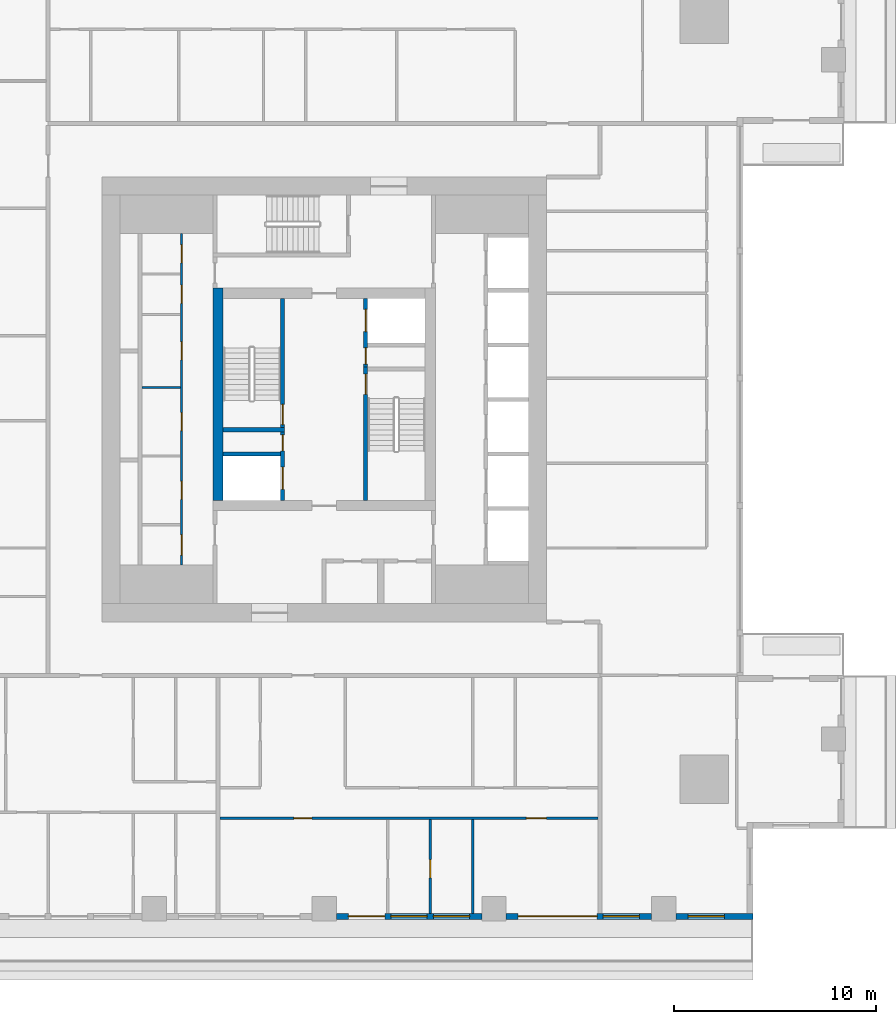
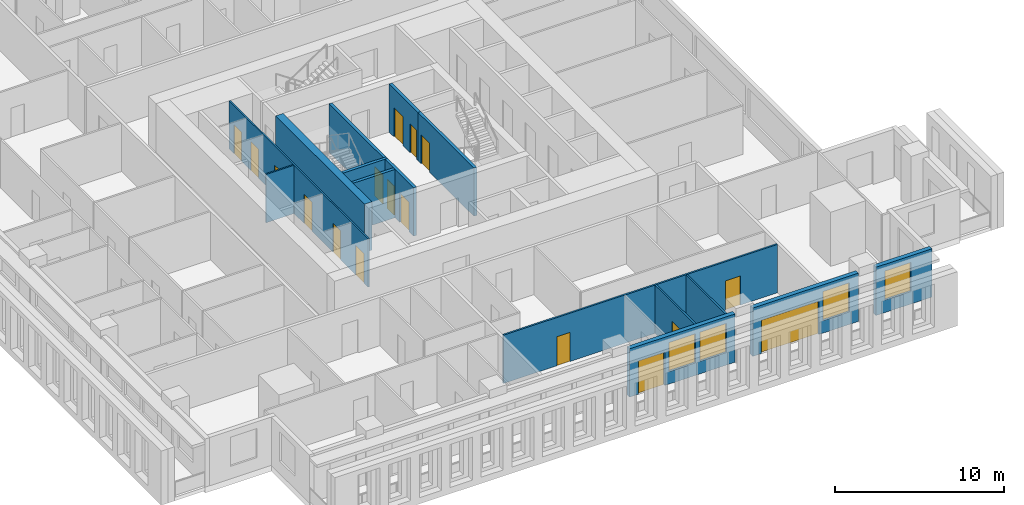
# One storey, part 4 of 15: 17 doors, 15 walls, 4 windows, 21 openings.
"""IFC4 building model written with IfcOpenShell, lengths in metres."""

import ifcopenshell
import ifcopenshell.guid

model = None  # the IFC model being written
_history = None  # IfcOwnerHistory: only IFC2X3 demands one
_inside = {}  # id of a spatial element -> (the spatial element, [elements in it])
_under = {}  # id of a project, library or spatial element -> (it, [spatial elements below it])
_declared = {}  # id of a project -> (the project, [libraries it declares])
_typed = {}  # id of a type object -> (the type object, [elements of that type])
_made_of = {}  # id of a material, layer set ... -> (it, [elements and type objects made of it])


def new_model(schema):
    """Start an empty IFC model of exactly this schema.

    Asked for "IFC4X3", IfcOpenShell would pick the latest addendum, in which some entities
    have other attributes; the version numbers below select the first issue.
    IFC2X3 requires an IfcOwnerHistory on every rooted entity: one is made here for all.
    """
    global model, _history
    if schema == "IFC4X3":
        model = ifcopenshell.file(schema_version=(4, 3, 0, 0))
    else:
        model = ifcopenshell.file(schema=schema)
    _inside.clear()
    _under.clear()
    _declared.clear()
    _typed.clear()
    _made_of.clear()
    _history = None
    if model.schema == "IFC2X3":
        org = make("IfcOrganization", Name="unknown")
        user = make(
            "IfcPersonAndOrganization",
            ThePerson=make("IfcPerson", FamilyName="unknown"),
            TheOrganization=org,
        )
        app = make(
            "IfcApplication",
            ApplicationDeveloper=org,
            Version="unknown",
            ApplicationFullName="unknown",
            ApplicationIdentifier="unknown",
        )
        _history = make(
            "IfcOwnerHistory",
            OwningUser=user,
            OwningApplication=app,
            ChangeAction="ADDED",
            CreationDate=0,
        )
    return model


def make(cls, **values):
    """One entity of the class cls with the attributes given. An attribute that is None is left unset."""
    return model.create_entity(
        cls, **{name: value for name, value in values.items() if value is not None}
    )


def rooted(cls, **values):
    """An entity with a GlobalId (a new one), such as an element, a storey or a relation."""
    return make(cls, GlobalId=ifcopenshell.guid.new(), OwnerHistory=_history, **values)


def si_unit(unit_type, name, prefix=None):
    """IfcSIUnit, for example si_unit("LENGTHUNIT", "METRE", prefix="MILLI")."""
    return make("IfcSIUnit", UnitType=unit_type, Prefix=prefix, Name=name)


def assignment(units):
    """IfcUnitAssignment: the units of a project."""
    return None if units is None else make("IfcUnitAssignment", Units=units)


def point(xyz):
    """IfcCartesianPoint."""
    return None if xyz is None else make("IfcCartesianPoint", Coordinates=xyz)


def direction(xyz):
    """IfcDirection."""
    return None if xyz is None else make("IfcDirection", DirectionRatios=xyz)


def frame(location, z_axis=None, x_axis=None):
    """IfcAxis2Placement3D, a coordinate frame: its origin and axes. An axis left out is left unset."""
    return make(
        "IfcAxis2Placement3D",
        Location=point(location),
        Axis=direction(z_axis),
        RefDirection=direction(x_axis),
    )


def frame_2d(location, x_axis=None):
    """IfcAxis2Placement2D, a coordinate frame in the plane: its origin and x axis."""
    return make(
        "IfcAxis2Placement2D", Location=point(location), RefDirection=direction(x_axis)
    )


def origin():
    """The frame at (0, 0, 0) with its axes left unset."""
    return frame((0.0, 0.0, 0.0))


def place(relative_to, where):
    """IfcLocalPlacement: puts the frame where relative to a parent placement (None: the world)."""
    return make(
        "IfcLocalPlacement", PlacementRelTo=relative_to, RelativePlacement=where
    )


def context(
    kind, dimensions, precision=None, world=None, true_north=None, identifier=None
):
    """IfcGeometricRepresentationContext, for example the 3D "Model" context."""
    return make(
        "IfcGeometricRepresentationContext",
        ContextIdentifier=identifier,
        ContextType=kind,
        CoordinateSpaceDimension=dimensions,
        Precision=precision,
        WorldCoordinateSystem=world,
        TrueNorth=true_north,
    )


def subcontext(parent, identifier, kind, view, scale=None):
    """IfcGeometricRepresentationSubContext, for example "Body" below "Model"."""
    return make(
        "IfcGeometricRepresentationSubContext",
        ContextIdentifier=identifier,
        ContextType=kind,
        ParentContext=parent,
        TargetScale=scale,
        TargetView=view,
    )


def project(units=None, contexts=None):
    """IfcProject with its units and contexts."""
    return rooted(
        "IfcProject",
        Name="project",
        RepresentationContexts=contexts,
        UnitsInContext=assignment(units),
    )


def spatial(cls, under=None, at=None, **own):
    """A site, building, storey or space (cls), placed at a placement, below another one or the project."""
    s = rooted(cls, ObjectPlacement=at, **own)
    if under is not None:
        _under.setdefault(under.id(), (under, []))[1].append(s)
    return s


def profile(cls, at=None, kind="AREA", **sizes):
    """A parametric profile (cls). Its sizes go by their IFC names, for example OverallWidth=200.0."""
    return make(cls, ProfileType=kind, Position=at, **sizes)


def rectangle(**sizes):
    """IfcRectangleProfileDef."""
    return profile("IfcRectangleProfileDef", **sizes)


def extrude(swept, where, along, depth):
    """IfcExtrudedAreaSolid: the profile swept, set in the frame where, extruded along a direction by depth."""
    return make(
        "IfcExtrudedAreaSolid",
        SweptArea=swept,
        Position=where,
        ExtrudedDirection=direction(along),
        Depth=depth,
    )


def shape(context_of_items, identifier, shape_type, items):
    """IfcShapeRepresentation: the items that make up one representation, for example the "Body"."""
    return make(
        "IfcShapeRepresentation",
        ContextOfItems=context_of_items,
        RepresentationIdentifier=identifier,
        RepresentationType=shape_type,
        Items=items,
    )


def material(Name=None, Category=None):
    """IfcMaterial."""
    return make("IfcMaterial", Name=Name, Category=Category)


def layer(
    of_material, thickness, ventilated=None, Name=None, Category=None, Priority=None
):
    """IfcMaterialLayer: one layer of a wall or slab, of a material (None: an air gap)."""
    return make(
        "IfcMaterialLayer",
        Material=of_material,
        LayerThickness=thickness,
        IsVentilated=ventilated,
        Name=Name,
        Category=Category,
        Priority=Priority,
    )


def layer_set(layers, Name=None):
    """IfcMaterialLayerSet."""
    return make("IfcMaterialLayerSet", MaterialLayers=layers, LayerSetName=Name)


def made_of(thing, what):
    """Note that an element or type object is made of a material, layer set ...; save() writes the relation."""
    if what is not None:
        _made_of.setdefault(what.id(), (what, []))[1].append(thing)
    return thing


def type_object(cls, material=None, **own):
    """A type object (cls), such as IfcWallType, which elements share."""
    return made_of(rooted(cls, **own), material)


def element(
    cls,
    number,
    at=None,
    inside=None,
    cuts=None,
    type_object=None,
    material=None,
    context=None,
    identifier="Body",
    shape_type=None,
    held_by="IfcProductDefinitionShape",
    body=None,
    shapes=None,
    **own,
):
    """One element of the class cls, such as IfcWall. Its Tag is "e" and its number.

    at: its placement. inside: the storey or other place that contains it. cuts: it is an
    opening in that element (IfcRelVoidsElement). A single representation is given by context,
    identifier, shape_type and body (its items); several are given by shapes. held_by: the class
    of the entity that holds the representations. save() writes the other relations.
    """
    e = rooted(cls, Tag="e%d" % number, ObjectPlacement=at, **own)
    if body is not None:
        shapes = [shape(context, identifier, shape_type, body)]
    if shapes is not None:
        e.Representation = make(held_by, Representations=shapes)
    if inside is not None:
        _inside.setdefault(inside.id(), (inside, []))[1].append(e)
    if cuts is not None:
        rooted(
            "IfcRelVoidsElement", RelatingBuildingElement=cuts, RelatedOpeningElement=e
        )
    if type_object is not None:
        _typed.setdefault(type_object.id(), (type_object, []))[1].append(e)
    return made_of(e, material)


def fill(opening, filler):
    """IfcRelFillsElement: the door or window that sits in an opening."""
    return rooted(
        "IfcRelFillsElement",
        RelatingOpeningElement=opening,
        RelatedBuildingElement=filler,
    )


def aggregate(whole, parts):
    """IfcRelAggregates: a whole, such as a stair, and the parts it consists of."""
    return rooted("IfcRelAggregates", RelatingObject=whole, RelatedObjects=parts)


def save(model, path):
    """Write the relations noted so far, then the file.

    IfcRelAggregates (storeys below a building ...), IfcRelContainedInSpatialStructure (elements
    in a storey), IfcRelDefinesByType, IfcRelAssociatesMaterial and IfcRelDeclares: one each for
    every whole, place, type object, material and project.
    """
    for whole, parts in _under.values():
        aggregate(whole, parts)
    for where, things in _inside.values():
        rooted(
            "IfcRelContainedInSpatialStructure",
            RelatedElements=things,
            RelatingStructure=where,
        )
    for kind, things in _typed.values():
        rooted("IfcRelDefinesByType", RelatedObjects=things, RelatingType=kind)
    for what, things in _made_of.values():
        rooted("IfcRelAssociatesMaterial", RelatedObjects=things, RelatingMaterial=what)
    for by, libraries in _declared.values():
        rooted("IfcRelDeclares", RelatingContext=by, RelatedDefinitions=libraries)
    model.write(path)


model = new_model("IFC4")

# Units and contexts
model_context = context("Model", 3, precision=1e-05, world=origin(), true_north=direction((0.0, 1.0)))
body_context = subcontext(model_context, "Body", "Model", "MODEL_VIEW")
ifc_project = project(units=[si_unit("LENGTHUNIT", "METRE"), si_unit("AREAUNIT", "SQUARE_METRE"), si_unit("VOLUMEUNIT", "CUBIC_METRE"), si_unit("PLANEANGLEUNIT", "RADIAN"), si_unit("MASSUNIT", "GRAM", prefix="KILO")], contexts=[model_context])

# Site, building, storey
site_placement = place(None, origin())
site = spatial("IfcSite", under=ifc_project, at=site_placement, CompositionType="ELEMENT")
building_placement = place(site_placement, origin())
building = spatial("IfcBuilding", under=site, at=building_placement, Name="Khepri Terraces", CompositionType="ELEMENT")
storey_placement = place(building_placement, frame((0.0, 0.0, 227.39990234375)))
storey = spatial("IfcBuildingStorey", under=building, at=storey_placement, Name="L54", CompositionType="ELEMENT", Elevation=227.39990234375)

# Wall, opening, door
ifc_material_1 = material(Name="Concrete C50/60", Category="concrete")
ifc_layer_1 = layer(ifc_material_1, 0.199951171875, Name="Concrete C50/60", Category="concrete")
ifc_layer_set_1 = layer_set([ifc_layer_1], Name="Concrete C50/60")
wall_type_1 = type_object("IfcWallType", Name="Core wall 200 C50/60", PredefinedType="SHEAR", material=ifc_layer_set_1)
wall_1_placement = place(storey_placement, frame((2.050048828125, -5.0, 0.0), z_axis=(0.0, 0.0, 1.0), x_axis=(0.0, 1.0, 0.0)))
wall_1 = element("IfcWall", 1, at=wall_1_placement, inside=storey, type_object=wall_type_1, Name="Core wall ST01 L54", PredefinedType="SHEAR", context=body_context, shape_type="SweptSolid", body=[
    extrude(rectangle(XDim=6.60009765625, YDim=0.199951171875, at=frame_2d((3.300048828125, 0.0))), origin(), (0.0, 0.0, 1.0), 3.47998046875),
])
opening_1_placement = place(wall_1_placement, frame((5.25, 0.0, 0.0)))
opening_1 = element("IfcOpeningElement", 2, at=opening_1_placement, cuts=wall_1, Name="Opening L54-C10", PredefinedType="OPENING", context=body_context, shape_type="SweptSolid", body=[
    extrude(rectangle(XDim=1.0, YDim=2.10009765625, at=frame_2d((0.5, 1.050048828125))), frame((0.0, 0.10986328125, 0.0), z_axis=(0.0, -1.0, 0.0), x_axis=(1.0, 0.0, 0.0)), (0.0, 0.0, 1.0), 0.219970703125),
])
ifc_material_2 = material(Name="Painted steel", Category="steel")
door_type_1 = type_object("IfcDoorType", Name="DR-CORE-STAIR-1000", OperationType="NOTDEFINED", PredefinedType="DOOR", material=ifc_material_2)
door_1_placement = place(opening_1_placement, frame((1.0, 0.0, 0.0), z_axis=(0.0, 0.0, 1.0), x_axis=(-1.0, 0.0, 0.0)))
door_1 = element("IfcDoor", 3, at=door_1_placement, inside=storey, type_object=door_type_1, Name="Stair door L54-C10", OperationType="SINGLE_SWING_LEFT", OverallHeight=2.10009765625, OverallWidth=1.0, PredefinedType="DOOR", context=body_context, shape_type="SweptSolid", body=[
    extrude(rectangle(XDim=1.0, YDim=2.10009765625, at=frame_2d((0.5, 1.050048828125))), frame((0.0, 0.02490234375, 0.0), z_axis=(0.0, -1.0, 0.0), x_axis=(1.0, 0.0, 0.0)), (0.0, 0.0, 1.0), 0.050048828125),
])
fill(opening_1, door_1)

# Wall
wall_2_placement = place(storey_placement, frame((-5.0, -1.5, 0.0), z_axis=(0.0, 0.0, 1.0), x_axis=(1.0, 0.0, 0.0)))
element("IfcWall", 4, at=wall_2_placement, inside=storey, type_object=wall_type_1, Name="Core wall ST02 L54", PredefinedType="SHEAR", context=body_context, shape_type="SweptSolid", body=[
    extrude(rectangle(XDim=3.050048828125, YDim=0.199951171875, at=frame_2d((1.52490234375, 0.0))), origin(), (0.0, 0.0, 1.0), 3.47998046875),
])

# Wall, opening, door
wall_3_placement = place(storey_placement, frame((-2.050048828125, -1.39990234375, 0.0), z_axis=(0.0, 0.0, 1.0), x_axis=(0.0, 1.0, 0.0)))
wall_3 = element("IfcWall", 5, at=wall_3_placement, inside=storey, type_object=wall_type_1, Name="Core wall ST03 L54", PredefinedType="SHEAR", context=body_context, shape_type="SweptSolid", body=[
    extrude(rectangle(XDim=6.39990234375, YDim=0.199951171875, at=frame_2d((3.199951171875, 0.0))), origin(), (0.0, 0.0, 1.0), 3.47998046875),
])
opening_2_placement = place(wall_3_placement, frame((0.14990234375, 0.0, 0.0)))
opening_2 = element("IfcOpeningElement", 6, at=opening_2_placement, cuts=wall_3, Name="Opening L54-C09", PredefinedType="OPENING", context=body_context, shape_type="SweptSolid", body=[
    extrude(rectangle(XDim=1.0, YDim=2.10009765625, at=frame_2d((0.5, 1.050048828125))), frame((0.0, 0.10986328125, 0.0), z_axis=(0.0, -1.0, 0.0), x_axis=(1.0, 0.0, 0.0)), (0.0, 0.0, 1.0), 0.219970703125),
])
door_2_placement = place(opening_2_placement, origin())
door_2 = element("IfcDoor", 7, at=door_2_placement, inside=storey, type_object=door_type_1, Name="Stair door L54-C09", OperationType="SINGLE_SWING_LEFT", OverallHeight=2.10009765625, OverallWidth=1.0, PredefinedType="DOOR", context=body_context, shape_type="SweptSolid", body=[
    extrude(rectangle(XDim=1.0, YDim=2.10009765625, at=frame_2d((0.5, 1.050048828125))), frame((0.0, 0.02490234375, 0.0), z_axis=(0.0, -1.0, 0.0), x_axis=(1.0, 0.0, 0.0)), (0.0, 0.0, 1.0), 0.050048828125),
])
fill(opening_2, door_2)

# Wall, openings, doors
wall_4_placement = place(storey_placement, frame((-2.050048828125, -5.0, 0.0), z_axis=(0.0, 0.0, 1.0), x_axis=(0.0, 1.0, 0.0)))
wall_4 = element("IfcWall", 8, at=wall_4_placement, inside=storey, type_object=wall_type_1, Name="Core wall SH05 L54", PredefinedType="SHEAR", context=body_context, shape_type="SweptSolid", body=[
    extrude(rectangle(XDim=3.39990234375, YDim=0.199951171875, at=frame_2d((1.699951171875, 0.0))), origin(), (0.0, 0.0, 1.0), 3.47998046875),
])
opening_3_placement = place(wall_4_placement, frame((0.550048828125, 0.0, 0.0)))
opening_3 = element("IfcOpeningElement", 9, at=opening_3_placement, cuts=wall_4, Name="Opening L54-C08", PredefinedType="OPENING", context=body_context, shape_type="SweptSolid", body=[
    extrude(rectangle(XDim=1.10009765625, YDim=2.10009765625, at=frame_2d((0.550048828125, 1.050048828125))), frame((0.0, 0.10986328125, 0.0), z_axis=(0.0, -1.0, 0.0), x_axis=(1.0, 0.0, 0.0)), (0.0, 0.0, 1.0), 0.219970703125),
])
opening_4_placement = place(wall_4_placement, frame((2.449951171875, 0.0, 0.0)))
opening_4 = element("IfcOpeningElement", 10, at=opening_4_placement, cuts=wall_4, Name="Opening L54-C12", PredefinedType="OPENING", context=body_context, shape_type="SweptSolid", body=[
    extrude(rectangle(XDim=0.800048828125, YDim=2.10009765625, at=frame_2d((0.39990234375, 1.050048828125))), frame((0.0, 0.10986328125, 0.0), z_axis=(0.0, -1.0, 0.0), x_axis=(1.0, 0.0, 0.0)), (0.0, 0.0, 1.0), 0.219970703125),
])
ifc_material_3 = material(Name="Stainless steel 304", Category="steel")
door_type_2 = type_object("IfcDoorType", Name="DR-CORE-FF-LANDING-1100", OperationType="NOTDEFINED", PredefinedType="DOOR", material=ifc_material_3)
door_3_placement = place(opening_3_placement, origin())
door_3 = element("IfcDoor", 11, at=door_3_placement, inside=storey, type_object=door_type_2, Name="Firefighting lift landing door L54-C08", OperationType="SLIDING_TO_LEFT", OverallHeight=2.10009765625, OverallWidth=1.10009765625, PredefinedType="DOOR", context=body_context, shape_type="SweptSolid", body=[
    extrude(rectangle(XDim=1.10009765625, YDim=2.10009765625, at=frame_2d((0.550048828125, 1.050048828125))), frame((0.0, 0.02490234375, 0.0), z_axis=(0.0, -1.0, 0.0), x_axis=(1.0, 0.0, 0.0)), (0.0, 0.0, 1.0), 0.050048828125),
])
fill(opening_3, door_3)
door_type_3 = type_object("IfcDoorType", Name="DR-CORE-RISER-800", OperationType="NOTDEFINED", PredefinedType="DOOR", material=ifc_material_2)
door_4_placement = place(opening_4_placement, origin())
door_4 = element("IfcDoor", 12, at=door_4_placement, inside=storey, type_object=door_type_3, Name="Riser door L54-C12", OperationType="SINGLE_SWING_RIGHT", OverallHeight=2.10009765625, OverallWidth=0.800048828125, PredefinedType="DOOR", context=body_context, shape_type="SweptSolid", body=[
    extrude(rectangle(XDim=0.800048828125, YDim=2.10009765625, at=frame_2d((0.39990234375, 1.050048828125))), frame((0.0, 0.02490234375, 0.0), z_axis=(0.0, -1.0, 0.0), x_axis=(1.0, 0.0, 0.0)), (0.0, 0.0, 1.0), 0.050048828125),
])
fill(opening_4, door_4)

# Wall
wall_5_placement = place(storey_placement, frame((-5.0, -2.699951171875, 0.0), z_axis=(0.0, 0.0, 1.0), x_axis=(1.0, 0.0, 0.0)))
element("IfcWall", 13, at=wall_5_placement, inside=storey, type_object=wall_type_1, Name="Core wall SH07 L54", PredefinedType="SHEAR", context=body_context, shape_type="SweptSolid", body=[
    extrude(rectangle(XDim=2.85009765625, YDim=0.199951171875, at=frame_2d((1.425048828125, 0.0))), origin(), (0.0, 0.0, 1.0), 3.47998046875),
])

# Wall, openings, doors
wall_6_placement = place(storey_placement, frame((2.050048828125, 1.60009765625, 0.0), z_axis=(0.0, 0.0, 1.0), x_axis=(0.0, 1.0, 0.0)))
wall_6 = element("IfcWall", 14, at=wall_6_placement, inside=storey, type_object=wall_type_1, Name="Core wall SH10 L54", PredefinedType="SHEAR", context=body_context, shape_type="SweptSolid", body=[
    extrude(rectangle(XDim=3.39990234375, YDim=0.199951171875, at=frame_2d((1.699951171875, 0.0))), origin(), (0.0, 0.0, 1.0), 3.47998046875),
])
opening_5_placement = place(wall_6_placement, frame((1.75, 0.0, 0.0)))
opening_5 = element("IfcOpeningElement", 15, at=opening_5_placement, cuts=wall_6, Name="Opening L54-C07", PredefinedType="OPENING", context=body_context, shape_type="SweptSolid", body=[
    extrude(rectangle(XDim=1.10009765625, YDim=2.10009765625, at=frame_2d((0.550048828125, 1.050048828125))), frame((0.0, 0.10986328125, 0.0), z_axis=(0.0, -1.0, 0.0), x_axis=(1.0, 0.0, 0.0)), (0.0, 0.0, 1.0), 0.219970703125),
])
opening_6_placement = place(wall_6_placement, frame((0.14990234375, 0.0, 0.0)))
opening_6 = element("IfcOpeningElement", 16, at=opening_6_placement, cuts=wall_6, Name="Opening L54-C11", PredefinedType="OPENING", context=body_context, shape_type="SweptSolid", body=[
    extrude(rectangle(XDim=0.800048828125, YDim=2.10009765625, at=frame_2d((0.39990234375, 1.050048828125))), frame((0.0, 0.10986328125, 0.0), z_axis=(0.0, -1.0, 0.0), x_axis=(1.0, 0.0, 0.0)), (0.0, 0.0, 1.0), 0.219970703125),
])
door_5_placement = place(opening_5_placement, origin())
door_5 = element("IfcDoor", 17, at=door_5_placement, inside=storey, type_object=door_type_2, Name="Firefighting lift landing door L54-C07", OperationType="SLIDING_TO_LEFT", OverallHeight=2.10009765625, OverallWidth=1.10009765625, PredefinedType="DOOR", context=body_context, shape_type="SweptSolid", body=[
    extrude(rectangle(XDim=1.10009765625, YDim=2.10009765625, at=frame_2d((0.550048828125, 1.050048828125))), frame((0.0, 0.02490234375, 0.0), z_axis=(0.0, -1.0, 0.0), x_axis=(1.0, 0.0, 0.0)), (0.0, 0.0, 1.0), 0.050048828125),
])
fill(opening_5, door_5)
door_6_placement = place(opening_6_placement, frame((0.800048828125, 0.0, 0.0), z_axis=(0.0, 0.0, 1.0), x_axis=(-1.0, 0.0, 0.0)))
door_6 = element("IfcDoor", 18, at=door_6_placement, inside=storey, type_object=door_type_3, Name="Riser door L54-C11", OperationType="SINGLE_SWING_RIGHT", OverallHeight=2.10009765625, OverallWidth=0.800048828125, PredefinedType="DOOR", context=body_context, shape_type="SweptSolid", body=[
    extrude(rectangle(XDim=0.800048828125, YDim=2.10009765625, at=frame_2d((0.39990234375, 1.050048828125))), frame((0.0, 0.02490234375, 0.0), z_axis=(0.0, -1.0, 0.0), x_axis=(1.0, 0.0, 0.0)), (0.0, 0.0, 1.0), 0.050048828125),
])
fill(opening_6, door_6)

# Wall
ifc_layer_2 = layer(ifc_material_1, 0.5, Name="Concrete C50/60", Category="concrete")
ifc_layer_set_2 = layer_set([ifc_layer_2], Name="Concrete C50/60")
wall_type_2 = type_object("IfcWallType", Name="Core wall 500 C50/60", PredefinedType="SHEAR", material=ifc_layer_set_2)
wall_7_placement = place(storey_placement, frame((-5.25, -5.0, 0.0), z_axis=(0.0, 0.0, 1.0), x_axis=(0.0, 1.0, 0.0)))
element("IfcWall", 19, at=wall_7_placement, inside=storey, type_object=wall_type_2, Name="Core wall BX02 L54", PredefinedType="SHEAR", context=body_context, shape_type="SweptSolid", body=[
    extrude(rectangle(XDim=10.5, YDim=0.5, at=frame_2d((5.25, 0.0))), origin(), (0.0, 0.0, 1.0), 3.47998046875),
])

# Wall, openings, doors
ifc_material_4 = material(Name="Fire-rated gypsum board partition")
ifc_layer_3 = layer(ifc_material_4, 0.10009765625, Name="Fire-rated gypsum board partition")
ifc_layer_set_3 = layer_set([ifc_layer_3], Name="Fire-rated gypsum board partition")
wall_type_3 = type_object("IfcWallType", Name="WL-CORE-PART-100", PredefinedType="PARTITIONING", material=ifc_layer_set_3)
wall_8_placement = place(storey_placement, frame((-7.050048828125, -8.199951171875, 0.0), z_axis=(0.0, 0.0, 1.0), x_axis=(0.0, 1.0, 0.0)))
wall_8 = element("IfcWall", 20, at=wall_8_placement, inside=storey, type_object=wall_type_3, Name="Core partition PT05 L54", PredefinedType="PARTITIONING", context=body_context, shape_type="SweptSolid", body=[
    extrude(rectangle(XDim=16.39990234375, YDim=0.10009765625, at=frame_2d((8.199951171875, 0.0))), origin(), (0.0, 0.0, 1.0), 3.47998046875),
])
opening_7_placement = place(wall_8_placement, frame((0.5, 0.0, 0.0)))
opening_7 = element("IfcOpeningElement", 21, at=opening_7_placement, cuts=wall_8, Name="Opening L54-C24", PredefinedType="OPENING", context=body_context, shape_type="SweptSolid", body=[
    extrude(rectangle(XDim=1.0, YDim=2.10009765625, at=frame_2d((0.5, 1.050048828125))), frame((0.0, 0.06005859375, 0.0), z_axis=(0.0, -1.0, 0.0), x_axis=(1.0, 0.0, 0.0)), (0.0, 0.0, 1.0), 0.1201171875),
])
opening_8_placement = place(wall_8_placement, frame((3.25, 0.0, 0.0)))
opening_8 = element("IfcOpeningElement", 22, at=opening_8_placement, cuts=wall_8, Name="Opening L54-C25", PredefinedType="OPENING", context=body_context, shape_type="SweptSolid", body=[
    extrude(rectangle(XDim=0.89990234375, YDim=2.10009765625, at=frame_2d((0.449951171875, 1.050048828125))), frame((0.0, 0.06005859375, 0.0), z_axis=(0.0, -1.0, 0.0), x_axis=(1.0, 0.0, 0.0)), (0.0, 0.0, 1.0), 0.1201171875),
])
opening_9_placement = place(wall_8_placement, frame((6.64990234375, 0.0, 0.0)))
opening_9 = element("IfcOpeningElement", 23, at=opening_9_placement, cuts=wall_8, Name="Opening L54-C26", PredefinedType="OPENING", context=body_context, shape_type="SweptSolid", body=[
    extrude(rectangle(XDim=0.89990234375, YDim=2.10009765625, at=frame_2d((0.449951171875, 1.050048828125))), frame((0.0, 0.06005859375, 0.0), z_axis=(0.0, -1.0, 0.0), x_axis=(1.0, 0.0, 0.0)), (0.0, 0.0, 1.0), 0.1201171875),
])
opening_10_placement = place(wall_8_placement, frame((10.14990234375, 0.0, 0.0)))
opening_10 = element("IfcOpeningElement", 24, at=opening_10_placement, cuts=wall_8, Name="Opening L54-C27", PredefinedType="OPENING", context=body_context, shape_type="SweptSolid", body=[
    extrude(rectangle(XDim=0.89990234375, YDim=2.10009765625, at=frame_2d((0.449951171875, 1.050048828125))), frame((0.0, 0.06005859375, 0.0), z_axis=(0.0, -1.0, 0.0), x_axis=(1.0, 0.0, 0.0)), (0.0, 0.0, 1.0), 0.1201171875),
])
opening_11_placement = place(wall_8_placement, frame((12.949951171875, 0.0, 0.0)))
opening_11 = element("IfcOpeningElement", 25, at=opening_11_placement, cuts=wall_8, Name="Opening L54-C28", PredefinedType="OPENING", context=body_context, shape_type="SweptSolid", body=[
    extrude(rectangle(XDim=0.89990234375, YDim=2.10009765625, at=frame_2d((0.449951171875, 1.050048828125))), frame((0.0, 0.06005859375, 0.0), z_axis=(0.0, -1.0, 0.0), x_axis=(1.0, 0.0, 0.0)), (0.0, 0.0, 1.0), 0.1201171875),
])
opening_12_placement = place(wall_8_placement, frame((14.949951171875, 0.0, 0.0)))
opening_12 = element("IfcOpeningElement", 26, at=opening_12_placement, cuts=wall_8, Name="Opening L54-C29", PredefinedType="OPENING", context=body_context, shape_type="SweptSolid", body=[
    extrude(rectangle(XDim=0.89990234375, YDim=2.10009765625, at=frame_2d((0.449951171875, 1.050048828125))), frame((0.0, 0.06005859375, 0.0), z_axis=(0.0, -1.0, 0.0), x_axis=(1.0, 0.0, 0.0)), (0.0, 0.0, 1.0), 0.1201171875),
])
door_type_4 = type_object("IfcDoorType", Name="DR-CORE-SERVICE-900", OperationType="NOTDEFINED", PredefinedType="DOOR", material=ifc_material_2)
door_7_placement = place(opening_8_placement, origin())
door_7 = element("IfcDoor", 27, at=door_7_placement, inside=storey, type_object=door_type_4, Name="Service room door L54-C25", OperationType="SINGLE_SWING_LEFT", OverallHeight=2.10009765625, OverallWidth=0.89990234375, PredefinedType="DOOR", context=body_context, shape_type="SweptSolid", body=[
    extrude(rectangle(XDim=0.89990234375, YDim=2.10009765625, at=frame_2d((0.449951171875, 1.050048828125))), frame((0.0, 0.02490234375, 0.0), z_axis=(0.0, -1.0, 0.0), x_axis=(1.0, 0.0, 0.0)), (0.0, 0.0, 1.0), 0.050048828125),
])
fill(opening_8, door_7)
door_8_placement = place(opening_9_placement, origin())
door_8 = element("IfcDoor", 28, at=door_8_placement, inside=storey, type_object=door_type_4, Name="Service room door L54-C26", OperationType="SINGLE_SWING_LEFT", OverallHeight=2.10009765625, OverallWidth=0.89990234375, PredefinedType="DOOR", context=body_context, shape_type="SweptSolid", body=[
    extrude(rectangle(XDim=0.89990234375, YDim=2.10009765625, at=frame_2d((0.449951171875, 1.050048828125))), frame((0.0, 0.02490234375, 0.0), z_axis=(0.0, -1.0, 0.0), x_axis=(1.0, 0.0, 0.0)), (0.0, 0.0, 1.0), 0.050048828125),
])
fill(opening_9, door_8)
door_9_placement = place(opening_10_placement, origin())
door_9 = element("IfcDoor", 29, at=door_9_placement, inside=storey, type_object=door_type_4, Name="Service room door L54-C27", OperationType="SINGLE_SWING_RIGHT", OverallHeight=2.10009765625, OverallWidth=0.89990234375, PredefinedType="DOOR", context=body_context, shape_type="SweptSolid", body=[
    extrude(rectangle(XDim=0.89990234375, YDim=2.10009765625, at=frame_2d((0.449951171875, 1.050048828125))), frame((0.0, 0.02490234375, 0.0), z_axis=(0.0, -1.0, 0.0), x_axis=(1.0, 0.0, 0.0)), (0.0, 0.0, 1.0), 0.050048828125),
])
fill(opening_10, door_9)
door_10_placement = place(opening_11_placement, origin())
door_10 = element("IfcDoor", 30, at=door_10_placement, inside=storey, type_object=door_type_4, Name="Service room door L54-C28", OperationType="SINGLE_SWING_RIGHT", OverallHeight=2.10009765625, OverallWidth=0.89990234375, PredefinedType="DOOR", context=body_context, shape_type="SweptSolid", body=[
    extrude(rectangle(XDim=0.89990234375, YDim=2.10009765625, at=frame_2d((0.449951171875, 1.050048828125))), frame((0.0, 0.02490234375, 0.0), z_axis=(0.0, -1.0, 0.0), x_axis=(1.0, 0.0, 0.0)), (0.0, 0.0, 1.0), 0.050048828125),
])
fill(opening_11, door_10)
door_11_placement = place(opening_12_placement, origin())
door_11 = element("IfcDoor", 31, at=door_11_placement, inside=storey, type_object=door_type_4, Name="Service room door L54-C29", OperationType="SINGLE_SWING_RIGHT", OverallHeight=2.10009765625, OverallWidth=0.89990234375, PredefinedType="DOOR", context=body_context, shape_type="SweptSolid", body=[
    extrude(rectangle(XDim=0.89990234375, YDim=2.10009765625, at=frame_2d((0.449951171875, 1.050048828125))), frame((0.0, 0.02490234375, 0.0), z_axis=(0.0, -1.0, 0.0), x_axis=(1.0, 0.0, 0.0)), (0.0, 0.0, 1.0), 0.050048828125),
])
fill(opening_12, door_11)
ifc_material_5 = material(Name="Timber veneer", Category="wood")
door_type_5 = type_object("IfcDoorType", Name="DR-CORE-WC-1000", OperationType="NOTDEFINED", PredefinedType="DOOR", material=ifc_material_5)
door_12_placement = place(opening_7_placement, origin())
door_12 = element("IfcDoor", 32, at=door_12_placement, inside=storey, type_object=door_type_5, Name="WC door L54-C24", OperationType="SINGLE_SWING_LEFT", OverallHeight=2.10009765625, OverallWidth=1.0, PredefinedType="DOOR", context=body_context, shape_type="SweptSolid", body=[
    extrude(rectangle(XDim=1.0, YDim=2.10009765625, at=frame_2d((0.5, 1.050048828125))), frame((0.0, 0.02490234375, 0.0), z_axis=(0.0, -1.0, 0.0), x_axis=(1.0, 0.0, 0.0)), (0.0, 0.0, 1.0), 0.050048828125),
])
fill(opening_7, door_12)

# Wall
wall_9_placement = place(storey_placement, frame((-9.0, 0.60009765625, 0.0), z_axis=(0.0, 0.0, 1.0), x_axis=(1.0, 0.0, 0.0)))
element("IfcWall", 33, at=wall_9_placement, inside=storey, type_object=wall_type_3, Name="Core partition PT10 L54", PredefinedType="PARTITIONING", context=body_context, shape_type="SweptSolid", body=[
    extrude(rectangle(XDim=1.89990234375, YDim=0.10009765625, at=frame_2d((0.949951171875, 0.0))), origin(), (0.0, 0.0, 1.0), 3.47998046875),
])

# Wall, openings, door, windows
ifc_material_6 = material(Name="Precast concrete C50/60 warm stone", Category="masonry")
ifc_layer_4 = layer(ifc_material_6, 0.300048828125, Name="Precast concrete C50/60 warm stone", Category="masonry")
ifc_layer_set_4 = layer_set([ifc_layer_4], Name="Precast concrete C50/60 warm stone")
wall_type_4 = type_object("IfcWallType", Name="WL-EXT-PRECAST-300", PredefinedType="STANDARD", material=ifc_layer_set_4)
wall_10_placement = place(storey_placement, frame((0.60009765625, -25.570068359375, 0.0), z_axis=(0.0, 0.0, 1.0), x_axis=(1.0, 0.0, 0.0)))
wall_10 = element("IfcWall", 34, at=wall_10_placement, inside=storey, type_object=wall_type_4, Name="External wall L54 S", PredefinedType="STANDARD", context=body_context, shape_type="SweptSolid", body=[
    extrude(rectangle(XDim=7.199951171875, YDim=0.300048828125, at=frame_2d((3.60009765625, 0.0))), origin(), (0.0, 0.0, 1.0), 3.47998046875),
])
opening_13_placement = place(wall_10_placement, frame((0.60009765625, 0.0, 0.0)))
opening_13 = element("IfcOpeningElement", 35, at=opening_13_placement, cuts=wall_10, Name="Opening ED-L54-17", PredefinedType="OPENING", context=body_context, shape_type="SweptSolid", body=[
    extrude(rectangle(XDim=1.800048828125, YDim=2.39990234375, at=frame_2d((0.89990234375, 1.199951171875))), frame((0.0, 0.16015625, 0.0), z_axis=(0.0, -1.0, 0.0), x_axis=(1.0, 0.0, 0.0)), (0.0, 0.0, 1.0), 0.320068359375),
])
opening_14_placement = place(wall_10_placement, frame((2.699951171875, 0.0, 0.89990234375)))
opening_14 = element("IfcOpeningElement", 36, at=opening_14_placement, cuts=wall_10, Name="Opening W1", PredefinedType="OPENING", context=body_context, shape_type="SweptSolid", body=[
    extrude(rectangle(XDim=1.800048828125, YDim=2.10009765625, at=frame_2d((0.89990234375, 1.050048828125))), frame((0.0, 0.16015625, 0.0), z_axis=(0.0, -1.0, 0.0), x_axis=(1.0, 0.0, 0.0)), (0.0, 0.0, 1.0), 0.320068359375),
])
opening_15_placement = place(wall_10_placement, frame((4.800048828125, 0.0, 0.89990234375)))
opening_15 = element("IfcOpeningElement", 37, at=opening_15_placement, cuts=wall_10, Name="Opening W1", PredefinedType="OPENING", context=body_context, shape_type="SweptSolid", body=[
    extrude(rectangle(XDim=1.800048828125, YDim=2.10009765625, at=frame_2d((0.89990234375, 1.050048828125))), frame((0.0, 0.16015625, 0.0), z_axis=(0.0, -1.0, 0.0), x_axis=(1.0, 0.0, 0.0)), (0.0, 0.0, 1.0), 0.320068359375),
])
ifc_material_7 = material(Name="Anodised aluminium bronze glazed door", Category="aluminium")
door_type_6 = type_object("IfcDoorType", Name="DR-BAL-SLIDE-1800x2400", OperationType="NOTDEFINED", PredefinedType="DOOR", material=ifc_material_7)
door_13_placement = place(opening_13_placement, origin())
door_13 = element("IfcDoor", 38, at=door_13_placement, inside=storey, type_object=door_type_6, Name="Balcony door L54 S", OperationType="SLIDING_TO_LEFT", OverallHeight=2.39990234375, OverallWidth=1.800048828125, PredefinedType="DOOR", context=body_context, shape_type="SweptSolid", body=[
    extrude(rectangle(XDim=1.800048828125, YDim=2.39990234375, at=frame_2d((0.89990234375, 1.199951171875))), frame((0.0, 0.02490234375, 0.0), z_axis=(0.0, -1.0, 0.0), x_axis=(1.0, 0.0, 0.0)), (0.0, 0.0, 1.0), 0.050048828125),
])
fill(opening_13, door_13)
ifc_material_8 = material(Name="Clear glass", Category="glass")
window_type = type_object("IfcWindowType", Name="WIN-RES-1800x2100", PartitioningType="SINGLE_PANEL", PredefinedType="WINDOW", material=ifc_material_8)
window_1_placement = place(opening_14_placement, origin())
window_1 = element("IfcWindow", 39, at=window_1_placement, inside=storey, type_object=window_type, Name="Window L54 S", OverallHeight=2.10009765625, OverallWidth=1.800048828125, PartitioningType="SINGLE_PANEL", PredefinedType="WINDOW", context=body_context, shape_type="SweptSolid", body=[
    extrude(rectangle(XDim=1.800048828125, YDim=2.10009765625, at=frame_2d((0.89990234375, 1.050048828125))), frame((0.0, 0.030029296875, 0.0), z_axis=(0.0, -1.0, 0.0), x_axis=(1.0, 0.0, 0.0)), (0.0, 0.0, 1.0), 0.06005859375),
])
fill(opening_14, window_1)
window_2_placement = place(opening_15_placement, origin())
window_2 = element("IfcWindow", 40, at=window_2_placement, inside=storey, type_object=window_type, Name="Window L54 S", OverallHeight=2.10009765625, OverallWidth=1.800048828125, PartitioningType="SINGLE_PANEL", PredefinedType="WINDOW", context=body_context, shape_type="SweptSolid", body=[
    extrude(rectangle(XDim=1.800048828125, YDim=2.10009765625, at=frame_2d((0.89990234375, 1.050048828125))), frame((0.0, 0.030029296875, 0.0), z_axis=(0.0, -1.0, 0.0), x_axis=(1.0, 0.0, 0.0)), (0.0, 0.0, 1.0), 0.06005859375),
])
fill(opening_15, window_2)

# Wall, openings, door, window
wall_11_placement = place(storey_placement, frame((9.0, -25.570068359375, 0.0), z_axis=(0.0, 0.0, 1.0), x_axis=(1.0, 0.0, 0.0)))
wall_11 = element("IfcWall", 41, at=wall_11_placement, inside=storey, type_object=wall_type_4, Name="External wall L54 S", PredefinedType="STANDARD", context=body_context, shape_type="SweptSolid", body=[
    extrude(rectangle(XDim=7.199951171875, YDim=0.300048828125, at=frame_2d((3.60009765625, 0.0))), origin(), (0.0, 0.0, 1.0), 3.47998046875),
])
opening_16_placement = place(wall_11_placement, frame((0.60009765625, 0.0, 0.0)))
opening_16 = element("IfcOpeningElement", 42, at=opening_16_placement, cuts=wall_11, Name="Opening ED-L54-18", PredefinedType="OPENING", context=body_context, shape_type="SweptSolid", body=[
    extrude(rectangle(XDim=3.89990234375, YDim=2.39990234375, at=frame_2d((1.949951171875, 1.199951171875))), frame((0.0, 0.16015625, 0.0), z_axis=(0.0, -1.0, 0.0), x_axis=(1.0, 0.0, 0.0)), (0.0, 0.0, 1.0), 0.320068359375),
])
opening_17_placement = place(wall_11_placement, frame((4.800048828125, 0.0, 0.89990234375)))
opening_17 = element("IfcOpeningElement", 43, at=opening_17_placement, cuts=wall_11, Name="Opening W1", PredefinedType="OPENING", context=body_context, shape_type="SweptSolid", body=[
    extrude(rectangle(XDim=1.800048828125, YDim=2.10009765625, at=frame_2d((0.89990234375, 1.050048828125))), frame((0.0, 0.16015625, 0.0), z_axis=(0.0, -1.0, 0.0), x_axis=(1.0, 0.0, 0.0)), (0.0, 0.0, 1.0), 0.320068359375),
])
door_type_7 = type_object("IfcDoorType", Name="DR-BAL-SLIDE-3900x2400", OperationType="NOTDEFINED", PredefinedType="DOOR", material=ifc_material_7)
door_14_placement = place(opening_16_placement, origin())
door_14 = element("IfcDoor", 44, at=door_14_placement, inside=storey, type_object=door_type_7, Name="Balcony door L54 S", OperationType="SLIDING_TO_LEFT", OverallHeight=2.39990234375, OverallWidth=3.89990234375, PredefinedType="DOOR", context=body_context, shape_type="SweptSolid", body=[
    extrude(rectangle(XDim=3.89990234375, YDim=2.39990234375, at=frame_2d((1.949951171875, 1.199951171875))), frame((0.0, 0.02490234375, 0.0), z_axis=(0.0, -1.0, 0.0), x_axis=(1.0, 0.0, 0.0)), (0.0, 0.0, 1.0), 0.050048828125),
])
fill(opening_16, door_14)
window_3_placement = place(opening_17_placement, origin())
window_3 = element("IfcWindow", 45, at=window_3_placement, inside=storey, type_object=window_type, Name="Window L54 S", OverallHeight=2.10009765625, OverallWidth=1.800048828125, PartitioningType="SINGLE_PANEL", PredefinedType="WINDOW", context=body_context, shape_type="SweptSolid", body=[
    extrude(rectangle(XDim=1.800048828125, YDim=2.10009765625, at=frame_2d((0.89990234375, 1.050048828125))), frame((0.0, 0.030029296875, 0.0), z_axis=(0.0, -1.0, 0.0), x_axis=(1.0, 0.0, 0.0)), (0.0, 0.0, 1.0), 0.06005859375),
])
fill(opening_17, window_3)

# Wall, opening, window
wall_12_placement = place(storey_placement, frame((17.39990234375, -25.570068359375, 0.0), z_axis=(0.0, 0.0, 1.0), x_axis=(1.0, 0.0, 0.0)))
wall_12 = element("IfcWall", 46, at=wall_12_placement, inside=storey, type_object=wall_type_4, Name="External wall L54 S", PredefinedType="STANDARD", context=body_context, shape_type="SweptSolid", body=[
    extrude(rectangle(XDim=3.820068359375, YDim=0.300048828125, at=frame_2d((1.91015625, 0.0))), origin(), (0.0, 0.0, 1.0), 3.47998046875),
])
opening_18_placement = place(wall_12_placement, frame((0.60009765625, 0.0, 0.89990234375)))
opening_18 = element("IfcOpeningElement", 47, at=opening_18_placement, cuts=wall_12, Name="Opening W1", PredefinedType="OPENING", context=body_context, shape_type="SweptSolid", body=[
    extrude(rectangle(XDim=1.800048828125, YDim=2.10009765625, at=frame_2d((0.89990234375, 1.050048828125))), frame((0.0, 0.16015625, 0.0), z_axis=(0.0, -1.0, 0.0), x_axis=(1.0, 0.0, 0.0)), (0.0, 0.0, 1.0), 0.320068359375),
])
window_4_placement = place(opening_18_placement, origin())
window_4 = element("IfcWindow", 48, at=window_4_placement, inside=storey, type_object=window_type, Name="Window L54 S", OverallHeight=2.10009765625, OverallWidth=1.800048828125, PartitioningType="SINGLE_PANEL", PredefinedType="WINDOW", context=body_context, shape_type="SweptSolid", body=[
    extrude(rectangle(XDim=1.800048828125, YDim=2.10009765625, at=frame_2d((0.89990234375, 1.050048828125))), frame((0.0, 0.030029296875, 0.0), z_axis=(0.0, -1.0, 0.0), x_axis=(1.0, 0.0, 0.0)), (0.0, 0.0, 1.0), 0.06005859375),
])
fill(opening_18, window_4)

# Wall, opening, door
ifc_material_9 = material(Name="Gypsum plasterboard partition")
ifc_layer_5 = layer(ifc_material_9, 0.1201171875, Name="Gypsum plasterboard partition")
ifc_layer_set_5 = layer_set([ifc_layer_5], Name="Gypsum plasterboard partition")
wall_type_5 = type_object("IfcWallType", Name="WL-PART-120", PredefinedType="PARTITIONING", material=ifc_layer_set_5)
wall_13_placement = place(storey_placement, frame((5.25, -25.419921875, 0.0), z_axis=(0.0, 0.0, 1.0), x_axis=(0.0, 1.0, 0.0)))
wall_13 = element("IfcWall", 49, at=wall_13_placement, inside=storey, type_object=wall_type_5, Name="Partition P-006 L54", PredefinedType="PARTITIONING", context=body_context, shape_type="SweptSolid", body=[
    extrude(rectangle(XDim=4.639892578125, YDim=0.1201171875, at=frame_2d((2.31982421875, 0.0))), origin(), (0.0, 0.0, 1.0), 3.47998046875),
])
opening_19_placement = place(wall_13_placement, frame((1.75, 0.0, 0.0)))
opening_19 = element("IfcOpeningElement", 50, at=opening_19_placement, cuts=wall_13, Name="Opening D4", PredefinedType="OPENING", context=body_context, shape_type="SweptSolid", body=[
    extrude(rectangle(XDim=0.89990234375, YDim=2.10009765625, at=frame_2d((0.449951171875, 1.050048828125))), frame((0.0, 0.070068359375, 0.0), z_axis=(0.0, -1.0, 0.0), x_axis=(1.0, 0.0, 0.0)), (0.0, 0.0, 1.0), 0.14013671875),
])
ifc_material_10 = material(Name="Timber door leaf, moisture resistant", Category="wood")
door_type_8 = type_object("IfcDoorType", Name="DR-WET-900", OperationType="NOTDEFINED", PredefinedType="DOOR", material=ifc_material_10)
door_15_placement = place(opening_19_placement, frame((0.89990234375, 0.0, 0.0), z_axis=(0.0, 0.0, 1.0), x_axis=(-1.0, 0.0, 0.0)))
door_15 = element("IfcDoor", 51, at=door_15_placement, inside=storey, type_object=door_type_8, Name="Door Bathroom", OperationType="SINGLE_SWING_RIGHT", OverallHeight=2.10009765625, OverallWidth=0.89990234375, PredefinedType="DOOR", context=body_context, shape_type="SweptSolid", body=[
    extrude(rectangle(XDim=0.89990234375, YDim=2.10009765625, at=frame_2d((0.449951171875, 1.050048828125))), frame((0.0, 0.02490234375, 0.0), z_axis=(0.0, -1.0, 0.0), x_axis=(1.0, 0.0, 0.0)), (0.0, 0.0, 1.0), 0.050048828125),
])
fill(opening_19, door_15)

# Wall
wall_14_placement = place(storey_placement, frame((7.35009765625, -25.419921875, 0.0), z_axis=(0.0, 0.0, 1.0), x_axis=(0.0, 1.0, 0.0)))
element("IfcWall", 52, at=wall_14_placement, inside=storey, type_object=wall_type_5, Name="Partition P-007 L54", PredefinedType="PARTITIONING", context=body_context, shape_type="SweptSolid", body=[
    extrude(rectangle(XDim=4.639892578125, YDim=0.1201171875, at=frame_2d((2.31982421875, 0.0))), origin(), (0.0, 0.0, 1.0), 3.47998046875),
])

# Wall, openings, doors
wall_15_placement = place(storey_placement, frame((-5.14990234375, -20.719970703125, 0.0), z_axis=(0.0, 0.0, 1.0), x_axis=(1.0, 0.0, 0.0)))
wall_15 = element("IfcWall", 53, at=wall_15_placement, inside=storey, type_object=wall_type_5, Name="Partition P-012 L54", PredefinedType="PARTITIONING", context=body_context, shape_type="SweptSolid", body=[
    extrude(rectangle(XDim=18.699951171875, YDim=0.1201171875, at=frame_2d((9.35009765625, 0.0))), origin(), (0.0, 0.0, 1.0), 3.47998046875),
])
opening_20_placement = place(wall_15_placement, frame((3.64990234375, 0.0, 0.0)))
opening_20 = element("IfcOpeningElement", 54, at=opening_20_placement, cuts=wall_15, Name="Opening D3", PredefinedType="OPENING", context=body_context, shape_type="SweptSolid", body=[
    extrude(rectangle(XDim=0.89990234375, YDim=2.10009765625, at=frame_2d((0.449951171875, 1.050048828125))), frame((0.0, 0.070068359375, 0.0), z_axis=(0.0, -1.0, 0.0), x_axis=(1.0, 0.0, 0.0)), (0.0, 0.0, 1.0), 0.14013671875),
])
opening_21_placement = place(wall_15_placement, frame((15.14990234375, 0.0, 0.0)))
opening_21 = element("IfcOpeningElement", 55, at=opening_21_placement, cuts=wall_15, Name="Opening D2", PredefinedType="OPENING", context=body_context, shape_type="SweptSolid", body=[
    extrude(rectangle(XDim=1.0, YDim=2.10009765625, at=frame_2d((0.5, 1.050048828125))), frame((0.0, 0.070068359375, 0.0), z_axis=(0.0, -1.0, 0.0), x_axis=(1.0, 0.0, 0.0)), (0.0, 0.0, 1.0), 0.14013671875),
])
ifc_material_11 = material(Name="Timber door leaf, living room door", Category="wood")
door_type_9 = type_object("IfcDoorType", Name="DR-INT-1000", OperationType="NOTDEFINED", PredefinedType="DOOR", material=ifc_material_11)
door_16_placement = place(opening_21_placement, frame((1.0, 0.0, 0.0), z_axis=(0.0, 0.0, 1.0), x_axis=(-1.0, 0.0, 0.0)))
door_16 = element("IfcDoor", 56, at=door_16_placement, inside=storey, type_object=door_type_9, Name="Door Living Room", OperationType="SINGLE_SWING_LEFT", OverallHeight=2.10009765625, OverallWidth=1.0, PredefinedType="DOOR", context=body_context, shape_type="SweptSolid", body=[
    extrude(rectangle(XDim=1.0, YDim=2.10009765625, at=frame_2d((0.5, 1.050048828125))), frame((0.0, 0.02490234375, 0.0), z_axis=(0.0, -1.0, 0.0), x_axis=(1.0, 0.0, 0.0)), (0.0, 0.0, 1.0), 0.050048828125),
])
fill(opening_21, door_16)
ifc_material_12 = material(Name="Timber door leaf", Category="wood")
door_type_10 = type_object("IfcDoorType", Name="DR-INT-900", OperationType="NOTDEFINED", PredefinedType="DOOR", material=ifc_material_12)
door_17_placement = place(opening_20_placement, frame((0.89990234375, 0.0, 0.0), z_axis=(0.0, 0.0, 1.0), x_axis=(-1.0, 0.0, 0.0)))
door_17 = element("IfcDoor", 57, at=door_17_placement, inside=storey, type_object=door_type_10, Name="Door Master Bedroom", OperationType="SINGLE_SWING_RIGHT", OverallHeight=2.10009765625, OverallWidth=0.89990234375, PredefinedType="DOOR", context=body_context, shape_type="SweptSolid", body=[
    extrude(rectangle(XDim=0.89990234375, YDim=2.10009765625, at=frame_2d((0.449951171875, 1.050048828125))), frame((0.0, 0.02490234375, 0.0), z_axis=(0.0, -1.0, 0.0), x_axis=(1.0, 0.0, 0.0)), (0.0, 0.0, 1.0), 0.050048828125),
])
fill(opening_20, door_17)

save(model, "model.ifc")
